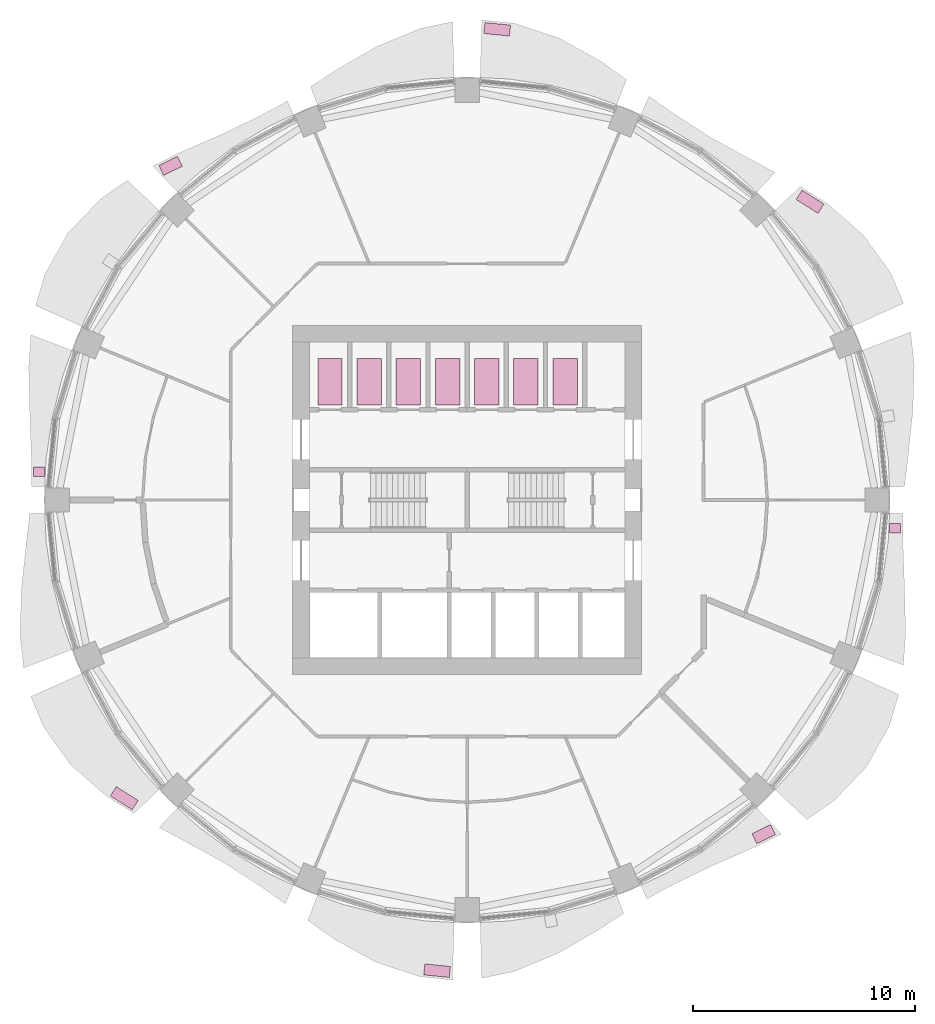
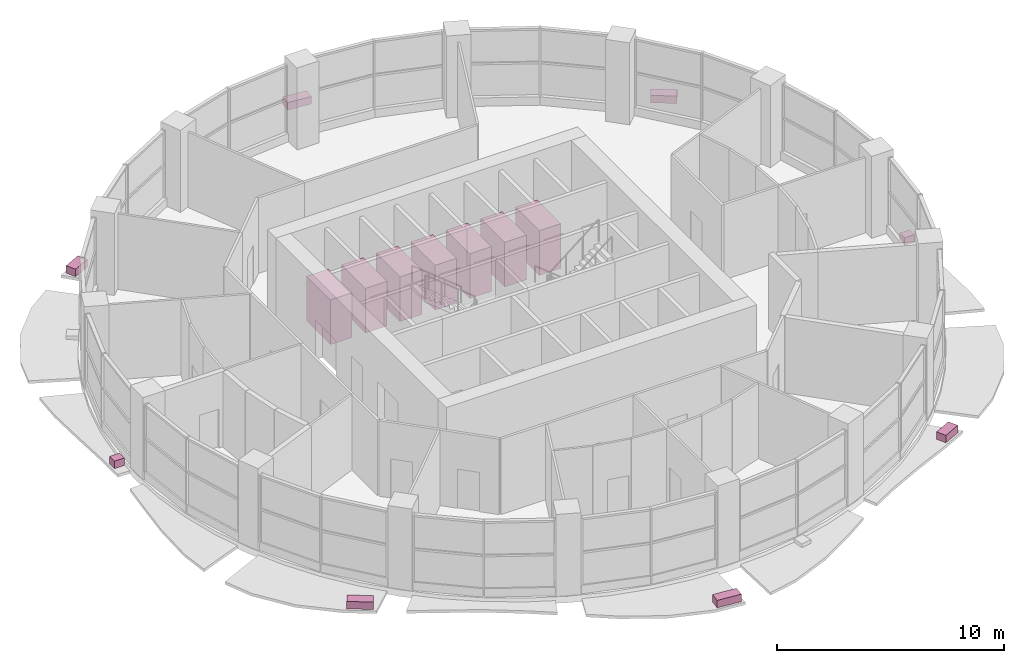
# One storey, part 13 of 13: 8 furniture elements, 7 transport elements.
"""IFC4 building model written with IfcOpenShell, lengths in metres."""

from ifc_helpers import new_model, si_unit, direction, frame, origin, origin_2d, place, context, subcontext, project, spatial, rectangle, extrude, material, type_object, element, save


model = new_model("IFC4")

# Units and contexts
model_context = context("Model", 3, precision=1e-05, world=origin(), true_north=direction((0.0, 1.0)))
body_context = subcontext(model_context, "Body", "Model", "MODEL_VIEW")
ifc_project = project(units=[si_unit("LENGTHUNIT", "METRE"), si_unit("AREAUNIT", "SQUARE_METRE"), si_unit("VOLUMEUNIT", "CUBIC_METRE"), si_unit("PLANEANGLEUNIT", "RADIAN"), si_unit("MASSUNIT", "GRAM", prefix="KILO")], contexts=[model_context])

# Site, building, storey
site_placement = place(None, origin())
site = spatial("IfcSite", under=ifc_project, at=site_placement, CompositionType="ELEMENT")
building_placement = place(site_placement, origin())
building = spatial("IfcBuilding", under=site, at=building_placement, Name="Polderwave Tower", CompositionType="ELEMENT")
storey_placement = place(building_placement, frame((0.0, 0.0, 116.550048828125)))
storey = spatial("IfcBuildingStorey", under=building, at=storey_placement, Name="L30", CompositionType="ELEMENT", Elevation=116.550048828125)

# Transport elements
ifc_material_1 = material(Name="Stainless steel", Category="steel")
transport_element_type = type_object("IfcTransportElementType", Name="Passenger lift car 1000 kg", PredefinedType="ELEVATOR", material=ifc_material_1)
for number, where, z_axis, x_axis, name in (
    (1, (-6.189697265625, 5.343994140625, 0.0), (0.0, 0.0, 1.0), (1.0, 0.0, 0.0), "Lift HL1"),
    (2, (-4.421142578125, 5.343994140625, 0.0), (0.0, 0.0, 1.0), (1.0, 0.0, 0.0), "Lift HL2"),
    (3, (-2.65283203125, 5.343994140625, 0.0), (0.0, 0.0, 1.0), (1.0, 0.0, 0.0), "Lift HL3"),
    (4, (-0.88427734375, 5.343994140625, 0.0), (0.0, 0.0, 1.0), (1.0, 0.0, 0.0), "Lift HL4"),
    (5, (0.88427734375, 5.343994140625, 0.0), (0.0, 0.0, 1.0), (1.0, 0.0, 0.0), "Lift HL5"),
    (6, (2.65283203125, 5.343994140625, 0.0), (0.0, 0.0, 1.0), (1.0, 0.0, 0.0), "Lift HL6"),
    (7, (4.421142578125, 5.343994140625, 0.0), (0.0, 0.0, 1.0), (1.0, 0.0, 0.0), "Lift HL7"),
):
    element("IfcTransportElement", number, at=place(storey_placement, frame(where, z_axis=z_axis, x_axis=x_axis)), inside=storey, type_object=transport_element_type, Name=name, PredefinedType="ELEVATOR", context=body_context, shape_type="SweptSolid", body=[
        extrude(rectangle(XDim=1.10009765625, YDim=2.10009765625, at=origin_2d()), origin(), (0.0, 0.0, 1.0), 2.39990234375),
    ])

# Furniture
ifc_material_2 = material(Name="Terracotta", Category="masonry")
furniture_type = type_object("IfcFurnitureType", Name="Terracotta planting trough", AssemblyPlace="NOTDEFINED", PredefinedType="USERDEFINED", material=ifc_material_2)
furniture_1_placement = place(storey_placement, frame((15.4794921875, 13.462646484375, -0.199951171875), z_axis=(0.0, 0.0, 1.0), x_axis=(-0.845745516566, 0.533586470226, 0.0)))
element("IfcFurniture", 8, at=furniture_1_placement, inside=storey, type_object=furniture_type, Name="Planting trough L30 2", ObjectType="PLANTER", PredefinedType="USERDEFINED", context=body_context, shape_type="SweptSolid", body=[
    extrude(rectangle(XDim=1.1689453125, YDim=0.5, at=origin_2d()), origin(), (0.0, 0.0, 1.0), 0.39990234375),
])
furniture_2_placement = place(storey_placement, frame((1.357421875, 21.2490234375, -0.199951171875), z_axis=(0.0, 0.0, 1.0), x_axis=(-0.995086031852, 0.099014085934, 0.0)))
element("IfcFurniture", 9, at=furniture_2_placement, inside=storey, type_object=furniture_type, Name="Planting trough L30 4", ObjectType="PLANTER", PredefinedType="USERDEFINED", context=body_context, shape_type="SweptSolid", body=[
    extrude(rectangle(XDim=1.1630859375, YDim=0.5, at=origin_2d()), origin(), (0.0, 0.0, 1.0), 0.39990234375),
])
furniture_3_placement = place(storey_placement, frame((-13.3876953125, 15.0849609375, -0.199951171875), z_axis=(0.0, 0.0, 1.0), x_axis=(-0.897894698731, -0.440210302004, 0.0)))
element("IfcFurniture", 10, at=furniture_3_placement, inside=storey, type_object=furniture_type, Name="Planting trough L30 6", ObjectType="PLANTER", PredefinedType="USERDEFINED", context=body_context, shape_type="SweptSolid", body=[
    extrude(rectangle(XDim=0.935791015625, YDim=0.5, at=origin_2d()), origin(), (0.0, 0.0, 1.0), 0.39990234375),
])
furniture_4_placement = place(storey_placement, frame((-19.323486328125, 1.271484375, -0.199951171875), z_axis=(0.0, 0.0, 1.0), x_axis=(0.003328336738, -0.999994461072, 0.0)))
element("IfcFurniture", 11, at=furniture_4_placement, inside=storey, type_object=furniture_type, Name="Planting trough L30 8", ObjectType="PLANTER", PredefinedType="USERDEFINED", context=body_context, shape_type="SweptSolid", body=[
    extrude(rectangle(XDim=0.435302734375, YDim=0.5, at=origin_2d()), origin(), (0.0, 0.0, 1.0), 0.39990234375),
])
furniture_5_placement = place(storey_placement, frame((-15.4794921875, -13.462646484375, -0.199951171875), z_axis=(0.0, 0.0, 1.0), x_axis=(0.845745516566, -0.533586470226, 0.0)))
element("IfcFurniture", 12, at=furniture_5_placement, inside=storey, type_object=furniture_type, Name="Planting trough L30 10", ObjectType="PLANTER", PredefinedType="USERDEFINED", context=body_context, shape_type="SweptSolid", body=[
    extrude(rectangle(XDim=1.1689453125, YDim=0.5, at=origin_2d()), origin(), (0.0, 0.0, 1.0), 0.39990234375),
])
furniture_6_placement = place(storey_placement, frame((-1.357421875, -21.2490234375, -0.199951171875), z_axis=(0.0, 0.0, 1.0), x_axis=(0.995086031852, -0.099014085934, 0.0)))
element("IfcFurniture", 13, at=furniture_6_placement, inside=storey, type_object=furniture_type, Name="Planting trough L30 12", ObjectType="PLANTER", PredefinedType="USERDEFINED", context=body_context, shape_type="SweptSolid", body=[
    extrude(rectangle(XDim=1.1630859375, YDim=0.5, at=origin_2d()), origin(), (0.0, 0.0, 1.0), 0.39990234375),
])
furniture_7_placement = place(storey_placement, frame((13.3876953125, -15.0849609375, -0.199951171875), z_axis=(0.0, 0.0, 1.0), x_axis=(0.897894698731, 0.440210302004, 0.0)))
element("IfcFurniture", 14, at=furniture_7_placement, inside=storey, type_object=furniture_type, Name="Planting trough L30 14", ObjectType="PLANTER", PredefinedType="USERDEFINED", context=body_context, shape_type="SweptSolid", body=[
    extrude(rectangle(XDim=0.935791015625, YDim=0.5, at=origin_2d()), origin(), (0.0, 0.0, 1.0), 0.39990234375),
])
furniture_8_placement = place(storey_placement, frame((19.323486328125, -1.271484375, -0.199951171875), z_axis=(0.0, 0.0, 1.0), x_axis=(-0.003328336738, 0.999994461072, 0.0)))
element("IfcFurniture", 15, at=furniture_8_placement, inside=storey, type_object=furniture_type, Name="Planting trough L30 16", ObjectType="PLANTER", PredefinedType="USERDEFINED", context=body_context, shape_type="SweptSolid", body=[
    extrude(rectangle(XDim=0.435302734375, YDim=0.5, at=origin_2d()), origin(), (0.0, 0.0, 1.0), 0.39990234375),
])

save(model, "model.ifc")
